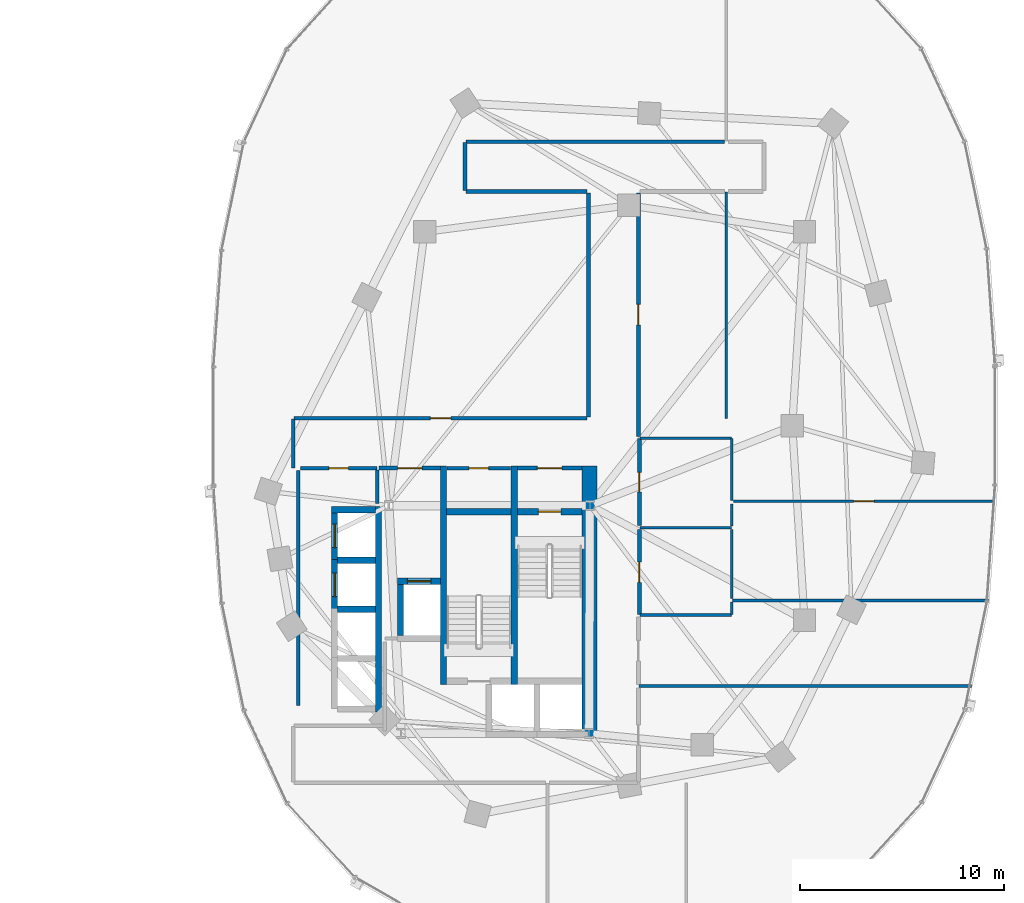
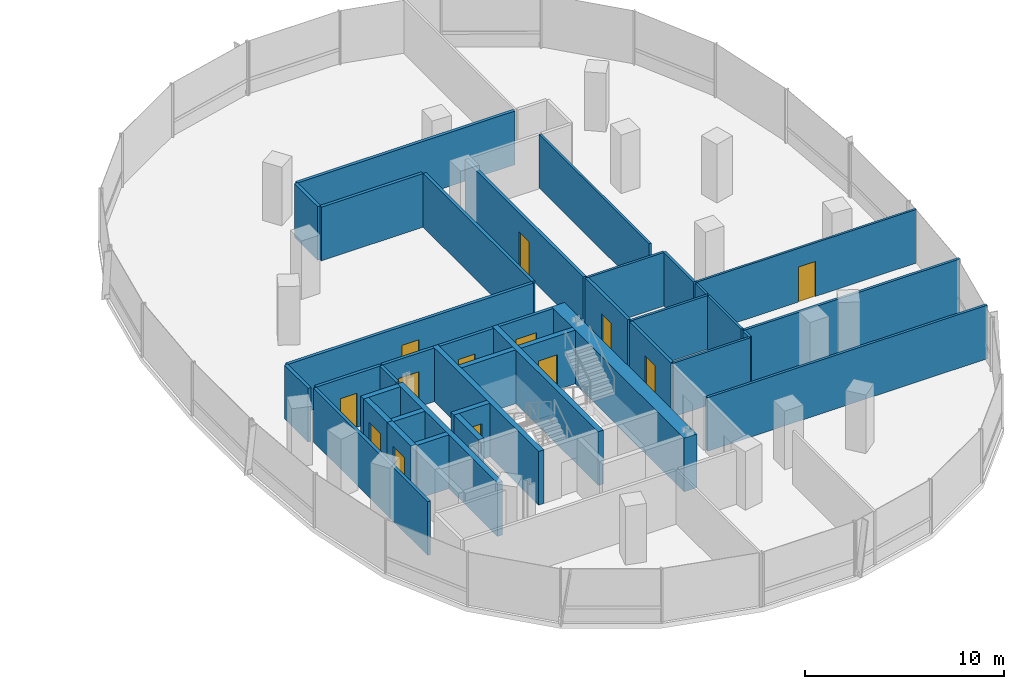
# One storey, part 13 of 21: 39 walls, 13 doors, 13 openings.
"""IFC4 building model written with IfcOpenShell, lengths in metres."""

from ifc_helpers import new_model, si_unit, direction, frame, frame_2d, origin, place, context, subcontext, project, spatial, rectangle, extrude, material, layer, layer_set, type_object, element, fill, save


model = new_model("IFC4")

# Units and contexts
model_context = context("Model", 3, precision=1e-05, world=origin(), true_north=direction((0.0, 1.0)))
body_context = subcontext(model_context, "Body", "Model", "MODEL_VIEW")
ifc_project = project(units=[si_unit("LENGTHUNIT", "METRE"), si_unit("AREAUNIT", "SQUARE_METRE"), si_unit("VOLUMEUNIT", "CUBIC_METRE"), si_unit("PLANEANGLEUNIT", "RADIAN"), si_unit("MASSUNIT", "GRAM", prefix="KILO"), si_unit("THERMODYNAMICTEMPERATUREUNIT", "KELVIN"), si_unit("POWERUNIT", "WATT")], contexts=[model_context])

# Site, building, storey
site_placement = place(None, origin())
site = spatial("IfcSite", under=ifc_project, at=site_placement, CompositionType="ELEMENT")
building_placement = place(site_placement, origin())
building = spatial("IfcBuilding", under=site, at=building_placement, Name="Cundina Bronze Exchange", CompositionType="ELEMENT")
storey_placement = place(building_placement, frame((0.0, 0.0, 85.39990234375)))
storey = spatial("IfcBuildingStorey", under=building, at=storey_placement, Name="L21", CompositionType="ELEMENT", Elevation=85.39990234375)

# Wall
ifc_material_1 = material(Name="Gypsum Fireboard Partition EI120")
ifc_layer_1 = layer(ifc_material_1, 0.179931640625, Name="Gypsum Fireboard Partition EI120")
ifc_layer_set_1 = layer_set([ifc_layer_1], Name="Gypsum Fireboard Partition EI120")
wall_type_1 = type_object("IfcWallType", Name="WL-COR-180", PredefinedType="PARTITIONING", material=ifc_layer_set_1)
wall_1_placement = place(storey_placement, frame((20.889892578125, -3.800048828125, 0.0), z_axis=(0.0, 0.0, 1.0), x_axis=(0.0, 1.0, 0.0)))
element("IfcWall", 1, at=wall_1_placement, inside=storey, type_object=wall_type_1, Name="L21 E Firefighting Lobby Side Wall", PredefinedType="PARTITIONING", context=body_context, shape_type="SweptSolid", body=[
    extrude(rectangle(XDim=1.650146484375, YDim=0.179931640625, at=frame_2d((0.8251953125, 0.0))), origin(), (0.0, 0.0, 1.0), 3.300048828125),
])

# Wall, opening, door
wall_2_placement = place(storey_placement, frame((20.97998046875, -2.06005859375, 0.0), z_axis=(0.0, 0.0, 1.0), x_axis=(1.0, 0.0, 0.0)))
wall_2 = element("IfcWall", 2, at=wall_2_placement, inside=storey, type_object=wall_type_1, Name="L21 E Firefighting Lobby Exit Wall", PredefinedType="PARTITIONING", context=body_context, shape_type="SweptSolid", body=[
    extrude(rectangle(XDim=3.0, YDim=0.179931640625, at=frame_2d((1.5, 0.0))), origin(), (0.0, 0.0, 1.0), 3.300048828125),
])
opening_1_placement = place(wall_2_placement, frame((0.89990234375, 0.0, 0.0)))
opening_1 = element("IfcOpeningElement", 3, at=opening_1_placement, cuts=wall_2, Name="Opening DF-01", PredefinedType="OPENING", context=body_context, shape_type="SweptSolid", body=[
    extrude(rectangle(XDim=1.199951171875, YDim=2.14990234375, at=frame_2d((0.60009765625, 1.074951171875))), frame((0.0, 0.099853515625, 0.0), z_axis=(0.0, -1.0, 0.0), x_axis=(1.0, 0.0, 0.0)), (0.0, 0.0, 1.0), 0.199951171875),
])
ifc_material_2 = material(Name="Steel ASTM A36 Painted", Category="steel")
door_type_1 = type_object("IfcDoorType", Name="DR-FFL-1200", OperationType="NOTDEFINED", PredefinedType="DOOR", material=ifc_material_2)
door_1_placement = place(opening_1_placement, origin())
door_1 = element("IfcDoor", 4, at=door_1_placement, inside=storey, type_object=door_type_1, Name="L21 E Firefighting Lobby Door", OperationType="SINGLE_SWING_LEFT", OverallHeight=2.14990234375, OverallWidth=1.199951171875, PredefinedType="DOOR", context=body_context, shape_type="SweptSolid", body=[
    extrude(rectangle(XDim=1.199951171875, YDim=2.14990234375, at=frame_2d((0.60009765625, 1.074951171875))), frame((0.0, 0.02490234375, 0.0), z_axis=(0.0, -1.0, 0.0), x_axis=(1.0, 0.0, 0.0)), (0.0, 0.0, 1.0), 0.050048828125),
])
fill(opening_1, door_1)

wall_3_placement = place(storey_placement, frame((27.739990234375, -2.06005859375, 0.0), z_axis=(0.0, 0.0, 1.0), x_axis=(1.0, 0.0, 0.0)))
wall_3 = element("IfcWall", 5, at=wall_3_placement, inside=storey, type_object=wall_type_1, Name="L21 E Stair Vestibule Exit Wall", PredefinedType="PARTITIONING", context=body_context, shape_type="SweptSolid", body=[
    extrude(rectangle(XDim=3.159912109375, YDim=0.179931640625, at=frame_2d((1.580078125, 0.0))), origin(), (0.0, 0.0, 1.0), 3.300048828125),
])
opening_2_placement = place(wall_3_placement, frame((0.97998046875, 0.0, 0.0)))
opening_2 = element("IfcOpeningElement", 6, at=opening_2_placement, cuts=wall_3, Name="Opening DF-01", PredefinedType="OPENING", context=body_context, shape_type="SweptSolid", body=[
    extrude(rectangle(XDim=1.199951171875, YDim=2.14990234375, at=frame_2d((0.60009765625, 1.074951171875))), frame((0.0, 0.099853515625, 0.0), z_axis=(0.0, -1.0, 0.0), x_axis=(1.0, 0.0, 0.0)), (0.0, 0.0, 1.0), 0.199951171875),
])
door_2_placement = place(opening_2_placement, origin())
door_2 = element("IfcDoor", 7, at=door_2_placement, inside=storey, type_object=door_type_1, Name="L21 E Stair Vestibule Door", OperationType="SINGLE_SWING_RIGHT", OverallHeight=2.14990234375, OverallWidth=1.199951171875, PredefinedType="DOOR", context=body_context, shape_type="SweptSolid", body=[
    extrude(rectangle(XDim=1.199951171875, YDim=2.14990234375, at=frame_2d((0.60009765625, 1.074951171875))), frame((0.0, 0.02490234375, 0.0), z_axis=(0.0, -1.0, 0.0), x_axis=(1.0, 0.0, 0.0)), (0.0, 0.0, 1.0), 0.050048828125),
])
fill(opening_2, door_2)

# Wall
wall_4_placement = place(storey_placement, frame((17.02001953125, -13.679931640625, 0.0), z_axis=(0.0, 0.0, 1.0), x_axis=(0.0, 1.0, 0.0)))
element("IfcWall", 8, at=wall_4_placement, inside=storey, type_object=wall_type_1, Name="L21 Interior Partition 034", PredefinedType="PARTITIONING", context=body_context, shape_type="SweptSolid", body=[
    extrude(rectangle(XDim=11.510009765625, YDim=0.179931640625, at=frame_2d((5.7548828125, 0.0))), origin(), (0.0, 0.0, 1.0), 3.300048828125),
])

# Wall, opening, door
wall_5_placement = place(storey_placement, frame((17.1201171875, -2.070068359375, 0.0), z_axis=(0.0, 0.0, 1.0), x_axis=(1.0, 0.0, 0.0)))
wall_5 = element("IfcWall", 9, at=wall_5_placement, inside=storey, type_object=wall_type_1, Name="L21 Interior Partition 035", PredefinedType="PARTITIONING", context=body_context, shape_type="SweptSolid", body=[
    extrude(rectangle(XDim=3.75, YDim=0.179931640625, at=frame_2d((1.875, 0.0))), origin(), (0.0, 0.0, 1.0), 3.300048828125),
])
opening_3_placement = place(wall_5_placement, frame((1.39990234375, 0.0, 0.0)))
opening_3 = element("IfcOpeningElement", 10, at=opening_3_placement, cuts=wall_5, Name="Opening DW-01", PredefinedType="OPENING", context=body_context, shape_type="SweptSolid", body=[
    extrude(rectangle(XDim=0.949951171875, YDim=2.10009765625, at=frame_2d((0.47509765625, 1.050048828125))), frame((0.0, 0.099853515625, 0.0), z_axis=(0.0, -1.0, 0.0), x_axis=(1.0, 0.0, 0.0)), (0.0, 0.0, 1.0), 0.199951171875),
])
ifc_material_3 = material(Name="Solid Andean Oak Timber Grade A", Category="wood")
door_type_2 = type_object("IfcDoorType", Name="DR-WC-950", OperationType="NOTDEFINED", PredefinedType="DOOR", material=ifc_material_3)
door_3_placement = place(opening_3_placement, origin())
door_3 = element("IfcDoor", 11, at=door_3_placement, inside=storey, type_object=door_type_2, Name="L21 Interior Door 035", OperationType="SINGLE_SWING_LEFT", OverallHeight=2.10009765625, OverallWidth=0.949951171875, PredefinedType="DOOR", context=body_context, shape_type="SweptSolid", body=[
    extrude(rectangle(XDim=0.949951171875, YDim=2.10009765625, at=frame_2d((0.47509765625, 1.050048828125))), frame((0.0, 0.02490234375, 0.0), z_axis=(0.0, -1.0, 0.0), x_axis=(1.0, 0.0, 0.0)), (0.0, 0.0, 1.0), 0.050048828125),
])
fill(opening_3, door_3)

wall_6_placement = place(storey_placement, frame((24.300048828125, -2.070068359375, 0.0), z_axis=(0.0, 0.0, 1.0), x_axis=(1.0, 0.0, 0.0)))
wall_6 = element("IfcWall", 12, at=wall_6_placement, inside=storey, type_object=wall_type_1, Name="L21 Interior Partition 038", PredefinedType="PARTITIONING", context=body_context, shape_type="SweptSolid", body=[
    extrude(rectangle(XDim=3.119873046875, YDim=0.179931640625, at=frame_2d((1.56005859375, 0.0))), origin(), (0.0, 0.0, 1.0), 3.300048828125),
])
opening_4_placement = place(wall_6_placement, frame((1.0849609375, 0.0, 0.0)))
opening_4 = element("IfcOpeningElement", 13, at=opening_4_placement, cuts=wall_6, Name="Opening DW-01", PredefinedType="OPENING", context=body_context, shape_type="SweptSolid", body=[
    extrude(rectangle(XDim=0.949951171875, YDim=2.10009765625, at=frame_2d((0.47509765625, 1.050048828125))), frame((0.0, 0.099853515625, 0.0), z_axis=(0.0, -1.0, 0.0), x_axis=(1.0, 0.0, 0.0)), (0.0, 0.0, 1.0), 0.199951171875),
])
door_4_placement = place(opening_4_placement, origin())
door_4 = element("IfcDoor", 14, at=door_4_placement, inside=storey, type_object=door_type_2, Name="L21 Interior Door 038", OperationType="SINGLE_SWING_LEFT", OverallHeight=2.10009765625, OverallWidth=0.949951171875, PredefinedType="DOOR", context=body_context, shape_type="SweptSolid", body=[
    extrude(rectangle(XDim=0.949951171875, YDim=2.10009765625, at=frame_2d((0.47509765625, 1.050048828125))), frame((0.0, 0.02490234375, 0.0), z_axis=(0.0, -1.0, 0.0), x_axis=(1.0, 0.0, 0.0)), (0.0, 0.0, 1.0), 0.050048828125),
])
fill(opening_4, door_4)

wall_7_placement = place(storey_placement, frame((33.719970703125, -4.8798828125, 0.0), z_axis=(0.0, 0.0, 1.0), x_axis=(0.0, 1.0, 0.0)))
wall_7 = element("IfcWall", 15, at=wall_7_placement, inside=storey, type_object=wall_type_1, Name="L21 Interior Partition 046", PredefinedType="PARTITIONING", context=body_context, shape_type="SweptSolid", body=[
    extrude(rectangle(XDim=4.259765625, YDim=0.179931640625, at=frame_2d((2.1298828125, 0.0))), origin(), (0.0, 0.0, 1.0), 3.300048828125),
])
opening_5_placement = place(wall_7_placement, frame((1.655029296875, 0.0, 0.0)))
opening_5 = element("IfcOpeningElement", 16, at=opening_5_placement, cuts=wall_7, Name="Opening DW-01", PredefinedType="OPENING", context=body_context, shape_type="SweptSolid", body=[
    extrude(rectangle(XDim=0.949951171875, YDim=2.10009765625, at=frame_2d((0.47509765625, 1.050048828125))), frame((0.0, 0.099853515625, 0.0), z_axis=(0.0, -1.0, 0.0), x_axis=(1.0, 0.0, 0.0)), (0.0, 0.0, 1.0), 0.199951171875),
])
door_5_placement = place(opening_5_placement, origin())
door_5 = element("IfcDoor", 17, at=door_5_placement, inside=storey, type_object=door_type_2, Name="L21 Interior Door 046", OperationType="SINGLE_SWING_LEFT", OverallHeight=2.10009765625, OverallWidth=0.949951171875, PredefinedType="DOOR", context=body_context, shape_type="SweptSolid", body=[
    extrude(rectangle(XDim=0.949951171875, YDim=2.10009765625, at=frame_2d((0.47509765625, 1.050048828125))), frame((0.0, 0.02490234375, 0.0), z_axis=(0.0, -1.0, 0.0), x_axis=(1.0, 0.0, 0.0)), (0.0, 0.0, 1.0), 0.050048828125),
])
fill(opening_5, door_5)

wall_8_placement = place(storey_placement, frame((33.719970703125, -9.239990234375, 0.0), z_axis=(0.0, 0.0, 1.0), x_axis=(0.0, 1.0, 0.0)))
wall_8 = element("IfcWall", 18, at=wall_8_placement, inside=storey, type_object=wall_type_1, Name="L21 Interior Partition 047", PredefinedType="PARTITIONING", context=body_context, shape_type="SweptSolid", body=[
    extrude(rectangle(XDim=4.159912109375, YDim=0.179931640625, at=frame_2d((2.080078125, 0.0))), origin(), (0.0, 0.0, 1.0), 3.300048828125),
])
opening_6_placement = place(wall_8_placement, frame((1.580078125, 0.0, 0.0)))
opening_6 = element("IfcOpeningElement", 19, at=opening_6_placement, cuts=wall_8, Name="Opening DO-01", PredefinedType="OPENING", context=body_context, shape_type="SweptSolid", body=[
    extrude(rectangle(XDim=1.0, YDim=2.14990234375, at=frame_2d((0.5, 1.074951171875))), frame((0.0, 0.099853515625, 0.0), z_axis=(0.0, -1.0, 0.0), x_axis=(1.0, 0.0, 0.0)), (0.0, 0.0, 1.0), 0.199951171875),
])
door_type_3 = type_object("IfcDoorType", Name="DR-OFF-1000", OperationType="NOTDEFINED", PredefinedType="DOOR", material=ifc_material_3)
door_6_placement = place(opening_6_placement, origin())
door_6 = element("IfcDoor", 20, at=door_6_placement, inside=storey, type_object=door_type_3, Name="L21 Interior Door 047", OperationType="SINGLE_SWING_LEFT", OverallHeight=2.14990234375, OverallWidth=1.0, PredefinedType="DOOR", context=body_context, shape_type="SweptSolid", body=[
    extrude(rectangle(XDim=1.0, YDim=2.14990234375, at=frame_2d((0.5, 1.074951171875))), frame((0.0, 0.02490234375, 0.0), z_axis=(0.0, -1.0, 0.0), x_axis=(1.0, 0.0, 0.0)), (0.0, 0.0, 1.0), 0.050048828125),
])
fill(opening_6, door_6)

wall_9_placement = place(storey_placement, frame((31.14990234375, 0.3701171875, 0.0), z_axis=(0.0, 0.0, 1.0), x_axis=(-1.0, 0.0, 0.0)))
wall_9 = element("IfcWall", 21, at=wall_9_placement, inside=storey, type_object=wall_type_1, Name="L21 Interior Partition 057", PredefinedType="PARTITIONING", context=body_context, shape_type="SweptSolid", body=[
    extrude(rectangle(XDim=14.328369140625, YDim=0.179931640625, at=frame_2d((7.1640625, 0.0))), origin(), (0.0, 0.0, 1.0), 3.300048828125),
])
opening_7_placement = place(wall_9_placement, frame((6.664306640625, 0.0, 0.0)))
opening_7 = element("IfcOpeningElement", 22, at=opening_7_placement, cuts=wall_9, Name="Opening DO-01", PredefinedType="OPENING", context=body_context, shape_type="SweptSolid", body=[
    extrude(rectangle(XDim=1.0, YDim=2.14990234375, at=frame_2d((0.5, 1.074951171875))), frame((0.0, 0.099853515625, 0.0), z_axis=(0.0, -1.0, 0.0), x_axis=(1.0, 0.0, 0.0)), (0.0, 0.0, 1.0), 0.199951171875),
])
door_7_placement = place(opening_7_placement, origin())
door_7 = element("IfcDoor", 23, at=door_7_placement, inside=storey, type_object=door_type_3, Name="L21 Interior Door 057", OperationType="SINGLE_SWING_LEFT", OverallHeight=2.14990234375, OverallWidth=1.0, PredefinedType="DOOR", context=body_context, shape_type="SweptSolid", body=[
    extrude(rectangle(XDim=1.0, YDim=2.14990234375, at=frame_2d((0.5, 1.074951171875))), frame((0.0, 0.02490234375, 0.0), z_axis=(0.0, -1.0, 0.0), x_axis=(1.0, 0.0, 0.0)), (0.0, 0.0, 1.0), 0.050048828125),
])
fill(opening_7, door_7)

# Walls
wall_10_placement = place(storey_placement, frame((37.889892578125, 13.919921875, 0.0), z_axis=(0.0, 0.0, 1.0), x_axis=(-1.0, 0.0, 0.0)))
element("IfcWall", 24, at=wall_10_placement, inside=storey, type_object=wall_type_1, Name="L21 Interior Partition 058", PredefinedType="PARTITIONING", context=body_context, shape_type="SweptSolid", body=[
    extrude(rectangle(XDim=12.66845703125, YDim=0.179931640625, at=frame_2d((6.334228515625, 0.0))), origin(), (0.0, 0.0, 1.0), 3.300048828125),
])
wall_11_placement = place(storey_placement, frame((31.22998046875, 11.39990234375, 0.0), z_axis=(0.0, 0.0, 1.0), x_axis=(0.0, -1.0, 0.0)))
element("IfcWall", 25, at=wall_11_placement, inside=storey, type_object=wall_type_1, Name="L21 Interior Partition 060", PredefinedType="PARTITIONING", context=body_context, shape_type="SweptSolid", body=[
    extrude(rectangle(XDim=10.949951171875, YDim=0.179931640625, at=frame_2d((5.47509765625, 0.0))), origin(), (0.0, 0.0, 1.0), 3.300048828125),
])
wall_12_placement = place(storey_placement, frame((25.221435546875, 11.47998046875, 0.0), z_axis=(0.0, 0.0, 1.0), x_axis=(1.0, 0.0, 0.0)))
element("IfcWall", 26, at=wall_12_placement, inside=storey, type_object=wall_type_1, Name="L21 Interior Partition 061", PredefinedType="PARTITIONING", context=body_context, shape_type="SweptSolid", body=[
    extrude(rectangle(XDim=5.928466796875, YDim=0.179931640625, at=frame_2d((2.96435546875, 0.0))), origin(), (0.0, 0.0, 1.0), 3.300048828125),
])
wall_13_placement = place(storey_placement, frame((16.780029296875, 0.32861328125, 0.0), z_axis=(0.0, 0.0, 1.0), x_axis=(0.0, -1.0, 0.0)))
element("IfcWall", 27, at=wall_13_placement, inside=storey, type_object=wall_type_1, Name="L21 Interior Partition 064", PredefinedType="PARTITIONING", context=body_context, shape_type="SweptSolid", body=[
    extrude(rectangle(XDim=2.38720703125, YDim=0.179931640625, at=frame_2d((1.193603515625, 0.0))), origin(), (0.0, 0.0, 1.0), 3.300048828125),
])
wall_14_placement = place(storey_placement, frame((25.179931640625, 13.87841796875, 0.0), z_axis=(0.0, 0.0, 1.0), x_axis=(0.0, -1.0, 0.0)))
element("IfcWall", 28, at=wall_14_placement, inside=storey, type_object=wall_type_1, Name="L21 Interior Partition 065", PredefinedType="PARTITIONING", context=body_context, shape_type="SweptSolid", body=[
    extrude(rectangle(XDim=2.35693359375, YDim=0.179931640625, at=frame_2d((1.178466796875, 0.0))), origin(), (0.0, 0.0, 1.0), 3.300048828125),
])

# Wall, opening, door
wall_15_placement = place(storey_placement, frame((33.669921875, -0.508544921875, 0.0), z_axis=(0.0, 0.0, 1.0), x_axis=(0.0, 1.0, 0.0)))
wall_15 = element("IfcWall", 29, at=wall_15_placement, inside=storey, type_object=wall_type_1, Name="L21 Interior Partition 066", PredefinedType="PARTITIONING", context=body_context, shape_type="SweptSolid", body=[
    extrude(rectangle(XDim=11.908447265625, YDim=0.179931640625, at=frame_2d((5.9541015625, 0.0))), origin(), (0.0, 0.0, 1.0), 3.300048828125),
])
opening_8_placement = place(wall_15_placement, frame((5.454345703125, 0.0, 0.0)))
opening_8 = element("IfcOpeningElement", 30, at=opening_8_placement, cuts=wall_15, Name="Opening DO-01", PredefinedType="OPENING", context=body_context, shape_type="SweptSolid", body=[
    extrude(rectangle(XDim=1.0, YDim=2.14990234375, at=frame_2d((0.5, 1.074951171875))), frame((0.0, 0.099853515625, 0.0), z_axis=(0.0, -1.0, 0.0), x_axis=(1.0, 0.0, 0.0)), (0.0, 0.0, 1.0), 0.199951171875),
])
door_8_placement = place(opening_8_placement, origin())
door_8 = element("IfcDoor", 31, at=door_8_placement, inside=storey, type_object=door_type_3, Name="L21 Interior Door 066", OperationType="SINGLE_SWING_RIGHT", OverallHeight=2.14990234375, OverallWidth=1.0, PredefinedType="DOOR", context=body_context, shape_type="SweptSolid", body=[
    extrude(rectangle(XDim=1.0, YDim=2.14990234375, at=frame_2d((0.5, 1.074951171875))), frame((0.0, 0.02490234375, 0.0), z_axis=(0.0, -1.0, 0.0), x_axis=(1.0, 0.0, 0.0)), (0.0, 0.0, 1.0), 0.050048828125),
])
fill(opening_8, door_8)

# Walls
ifc_material_4 = material(Name="Concrete C60/75", Category="concrete")
ifc_layer_2 = layer(ifc_material_4, 0.75, Name="Concrete C60/75", Category="concrete")
ifc_layer_set_2 = layer_set([ifc_layer_2], Name="Concrete C60/75")
wall_type_2 = type_object("IfcWallType", Name="WL-CORE-750", PredefinedType="SHEAR", material=ifc_layer_set_2)
wall_16_placement = place(storey_placement, frame((31.27490234375, -15.300048828125, 0.0), z_axis=(0.0, 0.0, 1.0), x_axis=(0.0, 1.0, 0.0)))
element("IfcWall", 32, at=wall_16_placement, inside=storey, type_object=wall_type_2, Name="L21 E Primary Core Shear Spine Wall", PredefinedType="SHEAR", context=body_context, shape_type="SweptSolid", body=[
    extrude(rectangle(XDim=13.330078125, YDim=0.75, at=frame_2d((6.6650390625, 0.0))), origin(), (0.0, 0.0, 1.0), 3.300048828125),
])
ifc_material_5 = material(Name="Gypsum Acoustic Partition EI60")
ifc_layer_3 = layer(ifc_material_5, 0.125, Name="Gypsum Acoustic Partition EI60")
ifc_layer_set_3 = layer_set([ifc_layer_3], Name="Gypsum Acoustic Partition EI60")
wall_type_3 = type_object("IfcWallType", Name="WL-OFF-125", PredefinedType="PARTITIONING", material=ifc_layer_set_3)
wall_17_placement = place(storey_placement, frame((37.97998046875, 0.3701171875, 0.0), z_axis=(0.0, 0.0, 1.0), x_axis=(0.0, 1.0, 0.0)))
element("IfcWall", 33, at=wall_17_placement, inside=storey, type_object=wall_type_3, Name="L21 Interior Partition 048", PredefinedType="PARTITIONING", context=body_context, shape_type="SweptSolid", body=[
    extrude(rectangle(XDim=11.079833984375, YDim=0.125, at=frame_2d((5.5400390625, 0.0))), origin(), (0.0, 0.0, 1.0), 3.300048828125),
])

# Wall, opening, door
wall_18_placement = place(storey_placement, frame((38.320068359375, -3.68994140625, 0.0), z_axis=(0.0, 0.0, 1.0), x_axis=(1.0, 0.0, 0.0)))
wall_18 = element("IfcWall", 34, at=wall_18_placement, inside=storey, type_object=wall_type_3, Name="L21 Interior Partition 071", PredefinedType="PARTITIONING", context=body_context, shape_type="SweptSolid", body=[
    extrude(rectangle(XDim=12.77587890625, YDim=0.125, at=frame_2d((6.387939453125, 0.0))), origin(), (0.0, 0.0, 1.0), 3.300048828125),
])
opening_9_placement = place(wall_18_placement, frame((5.887939453125, 0.0, 0.0)))
opening_9 = element("IfcOpeningElement", 35, at=opening_9_placement, cuts=wall_18, Name="Opening DO-01", PredefinedType="OPENING", context=body_context, shape_type="SweptSolid", body=[
    extrude(rectangle(XDim=1.0, YDim=2.14990234375, at=frame_2d((0.5, 1.074951171875))), frame((0.0, 0.072509765625, 0.0), z_axis=(0.0, -1.0, 0.0), x_axis=(1.0, 0.0, 0.0)), (0.0, 0.0, 1.0), 0.14501953125),
])
door_9_placement = place(opening_9_placement, origin())
door_9 = element("IfcDoor", 36, at=door_9_placement, inside=storey, type_object=door_type_3, Name="L21 Interior Door 071", OperationType="SINGLE_SWING_LEFT", OverallHeight=2.14990234375, OverallWidth=1.0, PredefinedType="DOOR", context=body_context, shape_type="SweptSolid", body=[
    extrude(rectangle(XDim=1.0, YDim=2.14990234375, at=frame_2d((0.5, 1.074951171875))), frame((0.0, 0.02490234375, 0.0), z_axis=(0.0, -1.0, 0.0), x_axis=(1.0, 0.0, 0.0)), (0.0, 0.0, 1.0), 0.050048828125),
])
fill(opening_9, door_9)

# Walls
ifc_material_6 = material(Name="Concrete C50/60", Category="concrete")
ifc_layer_4 = layer(ifc_material_6, 0.300048828125, Name="Concrete C50/60", Category="concrete")
ifc_layer_set_4 = layer_set([ifc_layer_4], Name="Concrete C50/60")
wall_type_4 = type_object("IfcWallType", Name="WL-SHFT-300", PredefinedType="SHEAR", material=ifc_layer_set_4)
for number, where, z_axis, x_axis, name in (
    (37, (27.590087890625, -12.64990234375, 0.0), (0.0, 0.0, 1.0), (0.0, 1.0, 0.0), "L21 E Stair Shaft Dividing Shear Wall"),
    (38, (24.1298828125, -12.64990234375, 0.0), (0.0, 0.0, 1.0), (0.0, 1.0, 0.0), "L21 E Stair 2 East Shear Wall"),
):
    element("IfcWall", number, at=place(storey_placement, frame(where, z_axis=z_axis, x_axis=x_axis)), inside=storey, type_object=wall_type_4, Name=name, PredefinedType="SHEAR", context=body_context, shape_type="SweptSolid", body=[
        extrude(rectangle(XDim=10.679931640625, YDim=0.300048828125, at=frame_2d((5.33984375, 0.0))), origin(), (0.0, 0.0, 1.0), 3.300048828125),
    ])

# Wall, opening, door
wall_19_placement = place(storey_placement, frame((27.739990234375, -4.199951171875, 0.0), z_axis=(0.0, 0.0, 1.0), x_axis=(1.0, 0.0, 0.0)))
wall_19 = element("IfcWall", 39, at=wall_19_placement, inside=storey, type_object=wall_type_4, Name="L21 Stair E1 Landing Wall", PredefinedType="SHEAR", context=body_context, shape_type="SweptSolid", body=[
    extrude(rectangle(XDim=3.159912109375, YDim=0.300048828125, at=frame_2d((1.580078125, 0.0))), origin(), (0.0, 0.0, 1.0), 3.300048828125),
])
opening_10_placement = place(wall_19_placement, frame((1.030029296875, 0.0, 0.0)))
opening_10 = element("IfcOpeningElement", 40, at=opening_10_placement, cuts=wall_19, Name="Opening DS-01", PredefinedType="OPENING", context=body_context, shape_type="SweptSolid", body=[
    extrude(rectangle(XDim=1.10009765625, YDim=2.14990234375, at=frame_2d((0.550048828125, 1.074951171875))), frame((0.0, 0.159912109375, 0.0), z_axis=(0.0, -1.0, 0.0), x_axis=(1.0, 0.0, 0.0)), (0.0, 0.0, 1.0), 0.320068359375),
])
door_type_4 = type_object("IfcDoorType", Name="DR-STR-1100", OperationType="NOTDEFINED", PredefinedType="DOOR", material=ifc_material_2)
door_10_placement = place(opening_10_placement, origin())
door_10 = element("IfcDoor", 41, at=door_10_placement, inside=storey, type_object=door_type_4, Name="L21 Smokeproof Stair E1 Door", OperationType="SINGLE_SWING_LEFT", OverallHeight=2.14990234375, OverallWidth=1.10009765625, PredefinedType="DOOR", context=body_context, shape_type="SweptSolid", body=[
    extrude(rectangle(XDim=1.10009765625, YDim=2.14990234375, at=frame_2d((0.550048828125, 1.074951171875))), frame((0.0, 0.02490234375, 0.0), z_axis=(0.0, -1.0, 0.0), x_axis=(1.0, 0.0, 0.0)), (0.0, 0.0, 1.0), 0.050048828125),
])
fill(opening_10, door_10)

# Wall
wall_20_placement = place(storey_placement, frame((24.280029296875, -4.199951171875, 0.0), z_axis=(0.0, 0.0, 1.0), x_axis=(1.0, 0.0, 0.0)))
element("IfcWall", 42, at=wall_20_placement, inside=storey, type_object=wall_type_4, Name="L21 Stair E2 Far Shaft Wall", PredefinedType="SHEAR", context=body_context, shape_type="SweptSolid", body=[
    extrude(rectangle(XDim=3.159912109375, YDim=0.300048828125, at=frame_2d((1.580078125, 0.0))), origin(), (0.0, 0.0, 1.0), 3.300048828125),
])

# Wall, opening, door
wall_21_placement = place(storey_placement, frame((21.8798828125, -7.60009765625, 0.0), z_axis=(0.0, 0.0, 1.0), x_axis=(1.0, 0.0, 0.0)))
wall_21 = element("IfcWall", 43, at=wall_21_placement, inside=storey, type_object=wall_type_4, Name="L21 FFL-E Hoistway Front Wall", PredefinedType="SHEAR", context=body_context, shape_type="SweptSolid", body=[
    extrude(rectangle(XDim=2.10009765625, YDim=0.300048828125, at=frame_2d((1.050048828125, 0.0))), origin(), (0.0, 0.0, 1.0), 3.300048828125),
])
opening_11_placement = place(wall_21_placement, frame((0.47509765625, 0.0, 0.0)))
opening_11 = element("IfcOpeningElement", 44, at=opening_11_placement, cuts=wall_21, Name="Opening LD-01", PredefinedType="OPENING", context=body_context, shape_type="SweptSolid", body=[
    extrude(rectangle(XDim=1.14990234375, YDim=2.199951171875, at=frame_2d((0.574951171875, 1.10009765625))), frame((0.0, 0.159912109375, 0.0), z_axis=(0.0, -1.0, 0.0), x_axis=(1.0, 0.0, 0.0)), (0.0, 0.0, 1.0), 0.320068359375),
])
door_type_5 = type_object("IfcDoorType", Name="DR-LND-1150", OperationType="NOTDEFINED", PredefinedType="TRAPDOOR", material=ifc_material_2)
door_11_placement = place(opening_11_placement, origin())
door_11 = element("IfcDoor", 45, at=door_11_placement, inside=storey, type_object=door_type_5, Name="L21 FFL-E Sliding Landing Door", OperationType="SLIDING_TO_LEFT", OverallHeight=2.199951171875, OverallWidth=1.14990234375, PredefinedType="TRAPDOOR", context=body_context, shape_type="SweptSolid", body=[
    extrude(rectangle(XDim=1.14990234375, YDim=2.199951171875, at=frame_2d((0.574951171875, 1.10009765625))), frame((0.0, 0.02490234375, 0.0), z_axis=(0.0, -1.0, 0.0), x_axis=(1.0, 0.0, 0.0)), (0.0, 0.0, 1.0), 0.050048828125),
])
fill(opening_11, door_11)

# Walls
wall_22_placement = place(storey_placement, frame((22.030029296875, -10.25, 0.0), z_axis=(0.0, 0.0, 1.0), x_axis=(0.0, 1.0, 0.0)))
element("IfcWall", 46, at=wall_22_placement, inside=storey, type_object=wall_type_4, Name="L21 FFL-E Hoistway Side Wall", PredefinedType="SHEAR", context=body_context, shape_type="SweptSolid", body=[
    extrude(rectangle(XDim=2.5, YDim=0.300048828125, at=frame_2d((1.25, 0.0))), origin(), (0.0, 0.0, 1.0), 3.300048828125),
])
wall_23_placement = place(storey_placement, frame((20.949951171875, -14.0, 0.0), z_axis=(0.0, 0.0, 1.0), x_axis=(0.0, 1.0, 0.0)))
element("IfcWall", 47, at=wall_23_placement, inside=storey, type_object=wall_type_4, Name="L21 E Passenger Bank Hoistway Back Wall", PredefinedType="SHEAR", context=body_context, shape_type="SweptSolid", body=[
    extrude(rectangle(XDim=10.050048828125, YDim=0.300048828125, at=frame_2d((5.02490234375, 0.0))), origin(), (0.0, 0.0, 1.0), 3.300048828125),
])
wall_24_placement = place(storey_placement, frame((18.64990234375, -4.10009765625, 0.0), z_axis=(0.0, 0.0, 1.0), x_axis=(1.0, 0.0, 0.0)))
element("IfcWall", 48, at=wall_24_placement, inside=storey, type_object=wall_type_4, Name="L21 E Passenger Bank North Cap Wall", PredefinedType="SHEAR", context=body_context, shape_type="SweptSolid", body=[
    extrude(rectangle(XDim=2.150146484375, YDim=0.300048828125, at=frame_2d((1.0751953125, 0.0))), origin(), (0.0, 0.0, 1.0), 3.300048828125),
])
for number, where, z_axis, x_axis, name in (
    (49, (18.949951171875, -8.97509765625, 0.0), (0.0, 0.0, 1.0), (1.0, 0.0, 0.0), "L21 E Passenger Hoistway Divider 2"),
    (50, (18.949951171875, -6.574951171875, 0.0), (0.0, 0.0, 1.0), (1.0, 0.0, 0.0), "L21 E Passenger Hoistway Divider 3"),
):
    element("IfcWall", number, at=place(storey_placement, frame(where, z_axis=z_axis, x_axis=x_axis)), inside=storey, type_object=wall_type_4, Name=name, PredefinedType="SHEAR", context=body_context, shape_type="SweptSolid", body=[
        extrude(rectangle(XDim=1.85009765625, YDim=0.300048828125, at=frame_2d((0.925048828125, 0.0))), origin(), (0.0, 0.0, 1.0), 3.300048828125),
    ])

# Wall, opening, door
wall_25_placement = place(storey_placement, frame((18.800048828125, -9.02001953125, 0.0), z_axis=(0.0, 0.0, 1.0), x_axis=(0.0, 1.0, 0.0)))
wall_25 = element("IfcWall", 51, at=wall_25_placement, inside=storey, type_object=wall_type_4, Name="L21 PL-E1 Hoistway Front Wall", PredefinedType="SHEAR", context=body_context, shape_type="SweptSolid", body=[
    extrude(rectangle(XDim=2.489990234375, YDim=0.300048828125, at=frame_2d((1.2451171875, 0.0))), origin(), (0.0, 0.0, 1.0), 3.300048828125),
])
opening_12_placement = place(wall_25_placement, frame((0.669921875, 0.0, 0.0)))
opening_12 = element("IfcOpeningElement", 52, at=opening_12_placement, cuts=wall_25, Name="Opening LD-01", PredefinedType="OPENING", context=body_context, shape_type="SweptSolid", body=[
    extrude(rectangle(XDim=1.14990234375, YDim=2.199951171875, at=frame_2d((0.574951171875, 1.10009765625))), frame((0.0, 0.159912109375, 0.0), z_axis=(0.0, -1.0, 0.0), x_axis=(1.0, 0.0, 0.0)), (0.0, 0.0, 1.0), 0.320068359375),
])
door_12_placement = place(opening_12_placement, origin())
door_12 = element("IfcDoor", 53, at=door_12_placement, inside=storey, type_object=door_type_5, Name="L21 PL-E1 Sliding Landing Door", OperationType="SLIDING_TO_LEFT", OverallHeight=2.199951171875, OverallWidth=1.14990234375, PredefinedType="TRAPDOOR", context=body_context, shape_type="SweptSolid", body=[
    extrude(rectangle(XDim=1.14990234375, YDim=2.199951171875, at=frame_2d((0.574951171875, 1.10009765625))), frame((0.0, 0.02490234375, 0.0), z_axis=(0.0, -1.0, 0.0), x_axis=(1.0, 0.0, 0.0)), (0.0, 0.0, 1.0), 0.050048828125),
])
fill(opening_12, door_12)

wall_26_placement = place(storey_placement, frame((18.800048828125, -6.6201171875, 0.0), z_axis=(0.0, 0.0, 1.0), x_axis=(0.0, 1.0, 0.0)))
wall_26 = element("IfcWall", 54, at=wall_26_placement, inside=storey, type_object=wall_type_4, Name="L21 PL-E2 Hoistway Front Wall", PredefinedType="SHEAR", context=body_context, shape_type="SweptSolid", body=[
    extrude(rectangle(XDim=2.490234375, YDim=0.300048828125, at=frame_2d((1.2451171875, 0.0))), origin(), (0.0, 0.0, 1.0), 3.300048828125),
])
opening_13_placement = place(wall_26_placement, frame((0.669921875, 0.0, 0.0)))
opening_13 = element("IfcOpeningElement", 55, at=opening_13_placement, cuts=wall_26, Name="Opening LD-01", PredefinedType="OPENING", context=body_context, shape_type="SweptSolid", body=[
    extrude(rectangle(XDim=1.14990234375, YDim=2.199951171875, at=frame_2d((0.574951171875, 1.10009765625))), frame((0.0, 0.159912109375, 0.0), z_axis=(0.0, -1.0, 0.0), x_axis=(1.0, 0.0, 0.0)), (0.0, 0.0, 1.0), 0.320068359375),
])
door_13_placement = place(opening_13_placement, origin())
door_13 = element("IfcDoor", 56, at=door_13_placement, inside=storey, type_object=door_type_5, Name="L21 PL-E2 Sliding Landing Door", OperationType="SLIDING_TO_LEFT", OverallHeight=2.199951171875, OverallWidth=1.14990234375, PredefinedType="TRAPDOOR", context=body_context, shape_type="SweptSolid", body=[
    extrude(rectangle(XDim=1.14990234375, YDim=2.199951171875, at=frame_2d((0.574951171875, 1.10009765625))), frame((0.0, 0.02490234375, 0.0), z_axis=(0.0, -1.0, 0.0), x_axis=(1.0, 0.0, 0.0)), (0.0, 0.0, 1.0), 0.050048828125),
])
fill(opening_13, door_13)

# Walls
ifc_layer_5 = layer(ifc_material_5, 0.14990234375, Name="Gypsum Acoustic Partition EI60")
ifc_layer_set_5 = layer_set([ifc_layer_5], Name="Gypsum Acoustic Partition EI60")
wall_type_5 = type_object("IfcWallType", Name="WL-TEN-150", PredefinedType="PARTITIONING", material=ifc_layer_set_5)
wall_27_placement = place(storey_placement, frame((38.27001953125, -8.5400390625, 0.0), z_axis=(0.0, 0.0, 1.0), x_axis=(1.0, 0.0, 0.0)))
element("IfcWall", 57, at=wall_27_placement, inside=storey, type_object=wall_type_5, Name="L21 Interior Partition 050", PredefinedType="PARTITIONING", context=body_context, shape_type="SweptSolid", body=[
    extrude(rectangle(XDim=12.54296875, YDim=0.14990234375, at=frame_2d((6.271484375, 0.0))), origin(), (0.0, 0.0, 1.0), 3.300048828125),
])
wall_28_placement = place(storey_placement, frame((33.699951171875, -12.739990234375, 0.0), z_axis=(0.0, 0.0, 1.0), x_axis=(1.0, 0.0, 0.0)))
element("IfcWall", 58, at=wall_28_placement, inside=storey, type_object=wall_type_5, Name="L21 Interior Partition 051", PredefinedType="PARTITIONING", context=body_context, shape_type="SweptSolid", body=[
    extrude(rectangle(XDim=16.263916015625, YDim=0.14990234375, at=frame_2d((8.1318359375, 0.0))), origin(), (0.0, 0.0, 1.0), 3.300048828125),
])
ifc_material_7 = material(Name="Moisture-Resistant Masonry Block Grade M15", Category="masonry")
ifc_layer_6 = layer(ifc_material_7, 0.139892578125, Name="Moisture-Resistant Masonry Block Grade M15", Category="masonry")
ifc_layer_set_6 = layer_set([ifc_layer_6], Name="Moisture-Resistant Masonry Block Grade M15")
wall_type_6 = type_object("IfcWallType", Name="WL-WET-140", PredefinedType="PARTITIONING", material=ifc_layer_set_6)
wall_29_placement = place(storey_placement, frame((38.239990234375, -9.239990234375, 0.0), z_axis=(0.0, 0.0, 1.0), x_axis=(0.0, 1.0, 0.0)))
element("IfcWall", 59, at=wall_29_placement, inside=storey, type_object=wall_type_6, Name="L21 Interior Partition 039", PredefinedType="PARTITIONING", context=body_context, shape_type="SweptSolid", body=[
    extrude(rectangle(XDim=0.614990234375, YDim=0.139892578125, at=frame_2d((0.3076171875, 0.0))), origin(), (0.0, 0.0, 1.0), 3.300048828125),
])
wall_30_placement = place(storey_placement, frame((38.239990234375, -8.455078125, 0.0), z_axis=(0.0, 0.0, 1.0), x_axis=(0.0, 1.0, 0.0)))
element("IfcWall", 60, at=wall_30_placement, inside=storey, type_object=wall_type_6, Name="L21 Interior Partition 040", PredefinedType="PARTITIONING", context=body_context, shape_type="SweptSolid", body=[
    extrude(rectangle(XDim=3.39013671875, YDim=0.139892578125, at=frame_2d((1.695068359375, 0.0))), origin(), (0.0, 0.0, 1.0), 3.300048828125),
])
wall_31_placement = place(storey_placement, frame((38.239990234375, -4.89501953125, 0.0), z_axis=(0.0, 0.0, 1.0), x_axis=(0.0, 1.0, 0.0)))
element("IfcWall", 61, at=wall_31_placement, inside=storey, type_object=wall_type_6, Name="L21 Interior Partition 041", PredefinedType="PARTITIONING", context=body_context, shape_type="SweptSolid", body=[
    extrude(rectangle(XDim=1.070068359375, YDim=0.139892578125, at=frame_2d((0.53515625, 0.0))), origin(), (0.0, 0.0, 1.0), 3.300048828125),
])
wall_32_placement = place(storey_placement, frame((38.239990234375, -3.655029296875, 0.0), z_axis=(0.0, 0.0, 1.0), x_axis=(0.0, 1.0, 0.0)))
element("IfcWall", 62, at=wall_32_placement, inside=storey, type_object=wall_type_6, Name="L21 Interior Partition 042", PredefinedType="PARTITIONING", context=body_context, shape_type="SweptSolid", body=[
    extrude(rectangle(XDim=3.034912109375, YDim=0.139892578125, at=frame_2d((1.517578125, 0.0))), origin(), (0.0, 0.0, 1.0), 3.300048828125),
])
for number, where, z_axis, x_axis, name in (
    (63, (33.739990234375, -0.60009765625, 0.0), (0.0, 0.0, 1.0), (1.0, 0.0, 0.0), "L21 Interior Partition 043"),
    (64, (33.739990234375, -4.97998046875, 0.0), (0.0, 0.0, 1.0), (1.0, 0.0, 0.0), "L21 Interior Partition 044"),
    (65, (33.739990234375, -9.260009765625, 0.0), (0.0, 0.0, 1.0), (1.0, 0.0, 0.0), "L21 Interior Partition 045"),
):
    element("IfcWall", number, at=place(storey_placement, frame(where, z_axis=z_axis, x_axis=x_axis)), inside=storey, type_object=wall_type_6, Name=name, PredefinedType="PARTITIONING", context=body_context, shape_type="SweptSolid", body=[
        extrude(rectangle(XDim=4.47998046875, YDim=0.139892578125, at=frame_2d((2.239990234375, 0.0))), origin(), (0.0, 0.0, 1.0), 3.300048828125),
    ])

save(model, "model.ifc")
